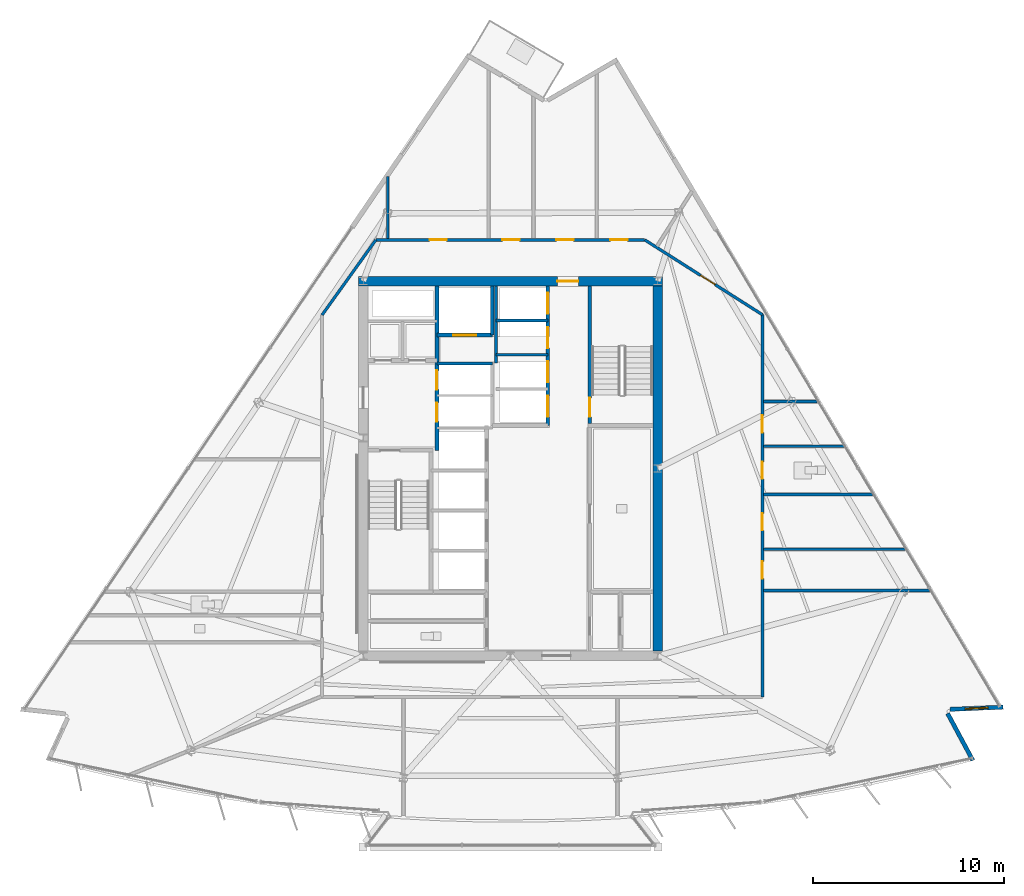
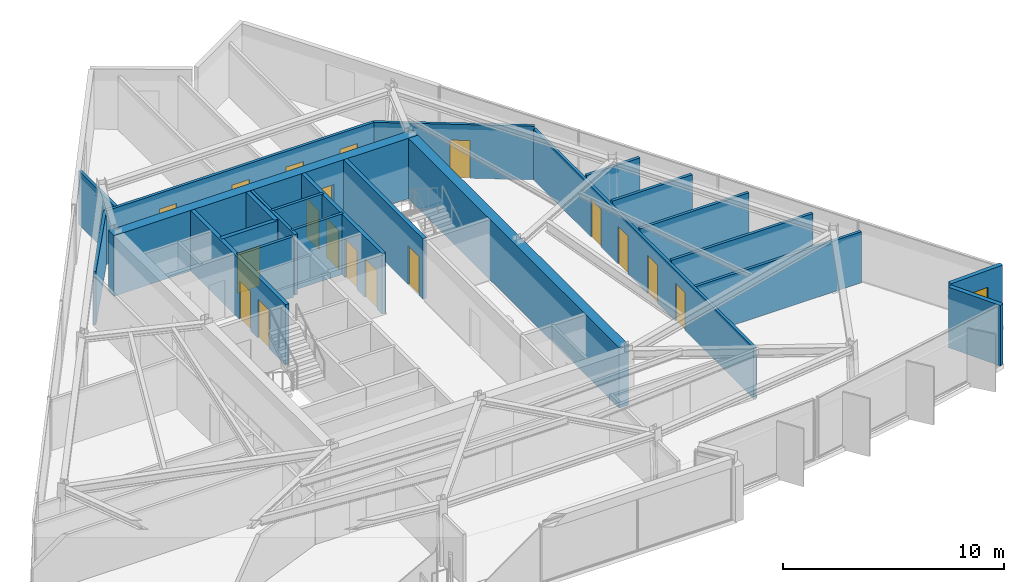
# One storey, part 9 of 14: 23 walls, 18 doors, 1 window, 19 openings.
"""IFC4 building model written with IfcOpenShell, lengths in metres."""

from ifc_helpers import new_model, si_unit, direction, frame, frame_2d, origin, place, context, subcontext, project, spatial, rectangle, extrude, material, layer, layer_set, type_object, element, fill, save


model = new_model("IFC4")

# Units and contexts
model_context = context("Model", 3, precision=1e-05, world=origin(), true_north=direction((0.0, 1.0)))
body_context = subcontext(model_context, "Body", "Model", "MODEL_VIEW")
ifc_project = project(units=[si_unit("LENGTHUNIT", "METRE"), si_unit("AREAUNIT", "SQUARE_METRE"), si_unit("VOLUMEUNIT", "CUBIC_METRE"), si_unit("PLANEANGLEUNIT", "RADIAN"), si_unit("MASSUNIT", "GRAM", prefix="KILO")], contexts=[model_context])

# Site, building, storey
site_placement = place(None, origin())
site = spatial("IfcSite", under=ifc_project, at=site_placement, CompositionType="ELEMENT")
building_placement = place(site_placement, origin())
building = spatial("IfcBuilding", under=site, at=building_placement, Name="Savorim Split Tower", CompositionType="ELEMENT")
storey_placement = place(building_placement, frame((0.0, 0.0, 209.10009765625)))
storey = spatial("IfcBuildingStorey", under=building, at=storey_placement, Name="L55", CompositionType="ELEMENT", Elevation=209.10009765625)

# Wall, opening, door
ifc_material_1 = material(Name="Concrete C60/75", Category="concrete")
ifc_layer_1 = layer(ifc_material_1, 0.5)
ifc_layer_set_1 = layer_set([ifc_layer_1], Name="WAL-COR-SH500")
wall_type_1 = type_object("IfcWallType", Name="WAL-COR-SH500", PredefinedType="SHEAR", material=ifc_layer_set_1)
wall_1_placement = place(storey_placement, frame((7.949951171875, 10.199951171875, 0.0), z_axis=(0.0, 0.0, 1.0), x_axis=(-1.0, 0.0, 0.0)))
wall_1 = element("IfcWall", 1, at=wall_1_placement, inside=storey, type_object=wall_type_1, Name="L55 Offset Core North Shear Wall", PredefinedType="SHEAR", context=body_context, shape_type="SweptSolid", body=[
    extrude(rectangle(XDim=15.89990234375, YDim=0.5, at=frame_2d((7.949951171875, 0.0))), origin(), (0.0, 0.0, 1.0), 3.349853515625),
])
opening_1_placement = place(wall_1_placement, frame((4.39990234375, 0.0, 0.0)))
opening_1 = element("IfcOpeningElement", 2, at=opening_1_placement, cuts=wall_1, Name="Opening DI-03", PredefinedType="OPENING", context=body_context, shape_type="SweptSolid", body=[
    extrude(rectangle(XDim=1.10009765625, YDim=2.14990234375, at=frame_2d((0.550048828125, 1.074951171875))), frame((0.0, 0.260009765625, 0.0), z_axis=(0.0, -1.0, 0.0), x_axis=(1.0, 0.0, 0.0)), (0.0, 0.0, 1.0), 0.52001953125),
])
ifc_material_2 = material(Name="Timber Fire Door Leaf", Category="wood")
door_type_1 = type_object("IfcDoorType", Name="DOR-FIR-1100", OperationType="NOTDEFINED", PredefinedType="DOOR", material=ifc_material_2)
door_1_placement = place(opening_1_placement, origin())
door_1 = element("IfcDoor", 3, at=door_1_placement, inside=storey, type_object=door_type_1, Name="DOR-L55-COR-NLOB - L55 North Corridor Lobby Fire Door", OperationType="SINGLE_SWING_RIGHT", OverallHeight=2.14990234375, OverallWidth=1.10009765625, PredefinedType="DOOR", context=body_context, shape_type="SweptSolid", body=[
    extrude(rectangle(XDim=1.10009765625, YDim=2.14990234375, at=frame_2d((0.550048828125, 1.074951171875))), frame((0.0, 0.02490234375, 0.0), z_axis=(0.0, -1.0, 0.0), x_axis=(1.0, 0.0, 0.0)), (0.0, 0.0, 1.0), 0.050048828125),
])
fill(opening_1, door_1)

# Walls
wall_2_placement = place(storey_placement, frame((7.699951171875, 9.949951171875, 0.0), z_axis=(0.0, 0.0, 1.0), x_axis=(0.0, -1.0, 0.0)))
element("IfcWall", 4, at=wall_2_placement, inside=storey, type_object=wall_type_1, Name="L55 Offset Core East Shear Wall", PredefinedType="SHEAR", context=body_context, shape_type="SweptSolid", body=[
    extrude(rectangle(XDim=19.099853515625, YDim=0.5, at=frame_2d((9.5498046875, 0.0))), origin(), (0.0, 0.0, 1.0), 3.349853515625),
])
ifc_material_3 = material(Name="Precast concrete C40/50", Category="concrete")
ifc_layer_2 = layer(ifc_material_3, 0.219970703125)
ifc_layer_set_2 = layer_set([ifc_layer_2], Name="WAL-EXT-CRN220")
wall_type_2 = type_object("IfcWallType", Name="WAL-EXT-CRN220", PredefinedType="SOLIDWALL", material=ifc_layer_set_2)
wall_3_placement = place(storey_placement, frame((22.86767578125, -12.414794921875, 0.0), z_axis=(0.0, 0.0, 1.0), x_axis=(0.472845900162, -0.881145138272, 0.0)))
element("IfcWall", 5, at=wall_3_placement, inside=storey, type_object=wall_type_2, Name="L55 Notched Corner Facade Wall SE1", PredefinedType="SOLIDWALL", context=body_context, shape_type="SweptSolid", body=[
    extrude(rectangle(XDim=2.78759765625, YDim=0.219970703125, at=frame_2d((1.393798828125, 0.0))), origin(), (0.0, 0.0, 1.0), 3.349853515625),
])

# Wall, opening, window
wall_4_placement = place(storey_placement, frame((25.77197265625, -12.082763671875, 0.0), z_axis=(0.0, 0.0, 1.0), x_axis=(-0.999095761456, -0.042516578425, 0.0)))
wall_4 = element("IfcWall", 6, at=wall_4_placement, inside=storey, type_object=wall_type_2, Name="L55 Notched Corner Facade Wall SE", PredefinedType="SOLIDWALL", context=body_context, shape_type="SweptSolid", body=[
    extrude(rectangle(XDim=2.784912109375, YDim=0.219970703125, at=frame_2d((1.392578125, 0.0))), origin(), (0.0, 0.0, 1.0), 3.349853515625),
])
opening_2_placement = place(wall_4_placement, frame((0.79248046875, 0.0, 0.6201171875)))
opening_2 = element("IfcOpeningElement", 7, at=opening_2_placement, cuts=wall_4, Name="Opening WN-08", PredefinedType="OPENING", context=body_context, shape_type="SweptSolid", body=[
    extrude(rectangle(XDim=1.199951171875, YDim=1.800048828125, at=frame_2d((0.60009765625, 0.89990234375))), frame((0.0, 0.119873046875, 0.0), z_axis=(0.0, -1.0, 0.0), x_axis=(1.0, 0.0, 0.0)), (0.0, 0.0, 1.0), 0.239990234375),
])
ifc_material_4 = material(Name="Low-E Operable Double Glazing", Category="glass")
window_type = type_object("IfcWindowType", Name="WIN-TWR-1200x1800", PartitioningType="SINGLE_PANEL", PredefinedType="WINDOW", material=ifc_material_4)
window_placement = place(opening_2_placement, origin())
window = element("IfcWindow", 8, at=window_placement, inside=storey, type_object=window_type, Name="L55 Operable Corner Window SE", OverallHeight=1.800048828125, OverallWidth=1.199951171875, PartitioningType="SINGLE_PANEL", PredefinedType="WINDOW", context=body_context, shape_type="SweptSolid", body=[
    extrude(rectangle(XDim=1.199951171875, YDim=1.800048828125, at=frame_2d((0.60009765625, 0.89990234375))), frame((0.0, 0.030029296875, 0.0), z_axis=(0.0, -1.0, 0.0), x_axis=(1.0, 0.0, 0.0)), (0.0, 0.0, 1.0), 0.06005859375),
])
fill(opening_2, window)

# Wall, openings, doors
ifc_material_5 = material(Name="Concrete C50/60", Category="concrete")
ifc_layer_3 = layer(ifc_material_5, 0.199951171875)
ifc_layer_set_3 = layer_set([ifc_layer_3], Name="WAL-INT-RC200")
wall_type_3 = type_object("IfcWallType", Name="WAL-INT-RC200", PredefinedType="SOLIDWALL", material=ifc_layer_set_3)
wall_5_placement = place(storey_placement, frame((-3.85009765625, 1.35009765625, 0.0), z_axis=(0.0, 0.0, 1.0), x_axis=(0.0, 1.0, 0.0)))
wall_5 = element("IfcWall", 9, at=wall_5_placement, inside=storey, type_object=wall_type_3, Name="L55 Partition W-L55-CR03", PredefinedType="SOLIDWALL", context=body_context, shape_type="SweptSolid", body=[
    extrude(rectangle(XDim=8.594970703125, YDim=0.199951171875, at=frame_2d((4.29736328125, 0.0))), origin(), (0.0, 0.0, 1.0), 3.349853515625),
])
opening_3_placement = place(wall_5_placement, frame((1.5, 0.0, 0.0)))
opening_3 = element("IfcOpeningElement", 10, at=opening_3_placement, cuts=wall_5, Name="Opening LD-FFL", PredefinedType="OPENING", context=body_context, shape_type="SweptSolid", body=[
    extrude(rectangle(XDim=1.0, YDim=2.14990234375, at=frame_2d((0.5, 1.074951171875))), frame((0.0, 0.10986328125, 0.0), z_axis=(0.0, -1.0, 0.0), x_axis=(1.0, 0.0, 0.0)), (0.0, 0.0, 1.0), 0.219970703125),
])
opening_4_placement = place(wall_5_placement, frame((3.179931640625, 0.0, 0.0)))
opening_4 = element("IfcOpeningElement", 11, at=opening_4_placement, cuts=wall_5, Name="Opening LD-FFL", PredefinedType="OPENING", context=body_context, shape_type="SweptSolid", body=[
    extrude(rectangle(XDim=1.0, YDim=2.14990234375, at=frame_2d((0.5, 1.074951171875))), frame((0.0, 0.10986328125, 0.0), z_axis=(0.0, -1.0, 0.0), x_axis=(1.0, 0.0, 0.0)), (0.0, 0.0, 1.0), 0.219970703125),
])
ifc_material_6 = material(Name="Charcoal Anodised Aluminium", Category="aluminium")
door_type_2 = type_object("IfcDoorType", Name="DOR-SLD-LD1000", OperationType="NOTDEFINED", PredefinedType="DOOR", material=ifc_material_6)
door_2_placement = place(opening_3_placement, origin())
door_2 = element("IfcDoor", 12, at=door_2_placement, inside=storey, type_object=door_type_2, Name="DR-L55-LD-FFL1 - L55 Firefighting Lift FFL-1 Sliding Landing Door", OperationType="DOUBLE_DOOR_SLIDING", OverallHeight=2.14990234375, OverallWidth=1.0, PredefinedType="DOOR", context=body_context, shape_type="SweptSolid", body=[
    extrude(rectangle(XDim=1.0, YDim=2.14990234375, at=frame_2d((0.5, 1.074951171875))), frame((0.0, 0.02490234375, 0.0), z_axis=(0.0, -1.0, 0.0), x_axis=(1.0, 0.0, 0.0)), (0.0, 0.0, 1.0), 0.050048828125),
])
fill(opening_3, door_2)
door_3_placement = place(opening_4_placement, origin())
door_3 = element("IfcDoor", 13, at=door_3_placement, inside=storey, type_object=door_type_2, Name="DR-L55-LD-FFL2 - L55 Firefighting Lift FFL-2 Sliding Landing Door", OperationType="DOUBLE_DOOR_SLIDING", OverallHeight=2.14990234375, OverallWidth=1.0, PredefinedType="DOOR", context=body_context, shape_type="SweptSolid", body=[
    extrude(rectangle(XDim=1.0, YDim=2.14990234375, at=frame_2d((0.5, 1.074951171875))), frame((0.0, 0.02490234375, 0.0), z_axis=(0.0, -1.0, 0.0), x_axis=(1.0, 0.0, 0.0)), (0.0, 0.0, 1.0), 0.050048828125),
])
fill(opening_4, door_3)

# Wall, opening, door
wall_6_placement = place(storey_placement, frame((4.14990234375, 2.75, 0.0), z_axis=(0.0, 0.0, 1.0), x_axis=(0.0, 1.0, 0.0)))
wall_6 = element("IfcWall", 14, at=wall_6_placement, inside=storey, type_object=wall_type_3, Name="L55 Structural Shaft Wall W-L55-CR07", PredefinedType="SOLIDWALL", context=body_context, shape_type="SweptSolid", body=[
    extrude(rectangle(XDim=7.199951171875, YDim=0.199951171875, at=frame_2d((3.60009765625, 0.0))), origin(), (0.0, 0.0, 1.0), 3.349853515625),
])
opening_5_placement = place(wall_6_placement, frame((0.35009765625, 0.0, 0.0)))
opening_5 = element("IfcOpeningElement", 15, at=opening_5_placement, cuts=wall_6, Name="Opening DI-04", PredefinedType="OPENING", context=body_context, shape_type="SweptSolid", body=[
    extrude(rectangle(XDim=1.0, YDim=2.14990234375, at=frame_2d((0.5, 1.074951171875))), frame((0.0, 0.10986328125, 0.0), z_axis=(0.0, -1.0, 0.0), x_axis=(1.0, 0.0, 0.0)), (0.0, 0.0, 1.0), 0.219970703125),
])
door_type_3 = type_object("IfcDoorType", Name="DOR-FIR-1000", OperationType="NOTDEFINED", PredefinedType="DOOR", material=ifc_material_2)
door_4_placement = place(opening_5_placement, origin())
door_4 = element("IfcDoor", 16, at=door_4_placement, inside=storey, type_object=door_type_3, Name="DR-L55-ST2 - L55 Stair ST-2 Enclosure Door", OperationType="SINGLE_SWING_RIGHT", OverallHeight=2.14990234375, OverallWidth=1.0, PredefinedType="DOOR", context=body_context, shape_type="SweptSolid", body=[
    extrude(rectangle(XDim=1.0, YDim=2.14990234375, at=frame_2d((0.5, 1.074951171875))), frame((0.0, 0.02490234375, 0.0), z_axis=(0.0, -1.0, 0.0), x_axis=(1.0, 0.0, 0.0)), (0.0, 0.0, 1.0), 0.050048828125),
])
fill(opening_5, door_4)

wall_7_placement = place(storey_placement, frame((-3.85009765625, 7.3798828125, 0.0), z_axis=(0.0, 0.0, 1.0), x_axis=(1.0, 0.0, 0.0)))
wall_7 = element("IfcWall", 17, at=wall_7_placement, inside=storey, type_object=wall_type_3, Name="L55 Partition W-L55-SVLS", PredefinedType="SOLIDWALL", context=body_context, shape_type="SweptSolid", body=[
    extrude(rectangle(XDim=2.900146484375, YDim=0.199951171875, at=frame_2d((1.4501953125, 0.0))), origin(), (0.0, 0.0, 1.0), 3.349853515625),
])
opening_6_placement = place(wall_7_placement, frame((0.85009765625, 0.0, 0.0)))
opening_6 = element("IfcOpeningElement", 18, at=opening_6_placement, cuts=wall_7, Name="Opening LD-SV", PredefinedType="OPENING", context=body_context, shape_type="SweptSolid", body=[
    extrude(rectangle(XDim=1.199951171875, YDim=2.199951171875, at=frame_2d((0.60009765625, 1.10009765625))), frame((0.0, 0.10986328125, 0.0), z_axis=(0.0, -1.0, 0.0), x_axis=(1.0, 0.0, 0.0)), (0.0, 0.0, 1.0), 0.219970703125),
])
door_type_4 = type_object("IfcDoorType", Name="DOR-SLD-SV1200", OperationType="NOTDEFINED", PredefinedType="DOOR", material=ifc_material_6)
door_5_placement = place(opening_6_placement, origin())
door_5 = element("IfcDoor", 19, at=door_5_placement, inside=storey, type_object=door_type_4, Name="DR-L55-LD-SVL1 - L55 Service Lift SVL-1 Sliding Landing Door", OperationType="DOUBLE_DOOR_SLIDING", OverallHeight=2.199951171875, OverallWidth=1.199951171875, PredefinedType="DOOR", context=body_context, shape_type="SweptSolid", body=[
    extrude(rectangle(XDim=1.199951171875, YDim=2.199951171875, at=frame_2d((0.60009765625, 1.10009765625))), frame((0.0, 0.02490234375, 0.0), z_axis=(0.0, -1.0, 0.0), x_axis=(1.0, 0.0, 0.0)), (0.0, 0.0, 1.0), 0.050048828125),
])
fill(opening_6, door_5)

# Wall
wall_8_placement = place(storey_placement, frame((-0.949951171875, 7.3798828125, 0.0), z_axis=(0.0, 0.0, 1.0), x_axis=(0.0, 1.0, 0.0)))
element("IfcWall", 20, at=wall_8_placement, inside=storey, type_object=wall_type_3, Name="L55 Partition W-L55-SVLE", PredefinedType="SOLIDWALL", context=body_context, shape_type="SweptSolid", body=[
    extrude(rectangle(XDim=2.565185546875, YDim=0.199951171875, at=frame_2d((1.28271484375, 0.0))), origin(), (0.0, 0.0, 1.0), 3.349853515625),
])

# Wall, openings, doors
wall_9_placement = place(storey_placement, frame((1.949951171875, 2.64990234375, 0.0), z_axis=(0.0, 0.0, 1.0), x_axis=(0.0, 1.0, 0.0)))
wall_9 = element("IfcWall", 21, at=wall_9_placement, inside=storey, type_object=wall_type_3, Name="L55 Partition W-L55-B3FRONT", PredefinedType="SOLIDWALL", context=body_context, shape_type="SweptSolid", body=[
    extrude(rectangle(XDim=7.295166015625, YDim=0.199951171875, at=frame_2d((3.6474609375, 0.0))), origin(), (0.0, 0.0, 1.0), 3.349853515625),
])
opening_7_placement = place(wall_9_placement, frame((0.449951171875, 0.0, 0.0)))
opening_7 = element("IfcOpeningElement", 22, at=opening_7_placement, cuts=wall_9, Name="Opening LD-03", PredefinedType="OPENING", context=body_context, shape_type="SweptSolid", body=[
    extrude(rectangle(XDim=1.10009765625, YDim=2.14990234375, at=frame_2d((0.550048828125, 1.074951171875))), frame((0.0, 0.10986328125, 0.0), z_axis=(0.0, -1.0, 0.0), x_axis=(1.0, 0.0, 0.0)), (0.0, 0.0, 1.0), 0.219970703125),
])
opening_8_placement = place(wall_9_placement, frame((2.25, 0.0, 0.0)))
opening_8 = element("IfcOpeningElement", 23, at=opening_8_placement, cuts=wall_9, Name="Opening LD-03", PredefinedType="OPENING", context=body_context, shape_type="SweptSolid", body=[
    extrude(rectangle(XDim=1.10009765625, YDim=2.14990234375, at=frame_2d((0.550048828125, 1.074951171875))), frame((0.0, 0.10986328125, 0.0), z_axis=(0.0, -1.0, 0.0), x_axis=(1.0, 0.0, 0.0)), (0.0, 0.0, 1.0), 0.219970703125),
])
opening_9_placement = place(wall_9_placement, frame((4.050048828125, 0.0, 0.0)))
opening_9 = element("IfcOpeningElement", 24, at=opening_9_placement, cuts=wall_9, Name="Opening LD-03", PredefinedType="OPENING", context=body_context, shape_type="SweptSolid", body=[
    extrude(rectangle(XDim=1.10009765625, YDim=2.14990234375, at=frame_2d((0.550048828125, 1.074951171875))), frame((0.0, 0.10986328125, 0.0), z_axis=(0.0, -1.0, 0.0), x_axis=(1.0, 0.0, 0.0)), (0.0, 0.0, 1.0), 0.219970703125),
])
opening_10_placement = place(wall_9_placement, frame((5.85009765625, 0.0, 0.0)))
opening_10 = element("IfcOpeningElement", 25, at=opening_10_placement, cuts=wall_9, Name="Opening LD-03", PredefinedType="OPENING", context=body_context, shape_type="SweptSolid", body=[
    extrude(rectangle(XDim=1.10009765625, YDim=2.14990234375, at=frame_2d((0.550048828125, 1.074951171875))), frame((0.0, 0.10986328125, 0.0), z_axis=(0.0, -1.0, 0.0), x_axis=(1.0, 0.0, 0.0)), (0.0, 0.0, 1.0), 0.219970703125),
])
door_type_5 = type_object("IfcDoorType", Name="DOR-SLD-LDH1100", OperationType="NOTDEFINED", PredefinedType="DOOR", material=ifc_material_6)
door_6_placement = place(opening_7_placement, origin())
door_6 = element("IfcDoor", 26, at=door_6_placement, inside=storey, type_object=door_type_5, Name="DR-L55-LD-PLH1 - L55 Lift PL-H1 Sliding Landing Door", OperationType="DOUBLE_DOOR_SLIDING", OverallHeight=2.14990234375, OverallWidth=1.10009765625, PredefinedType="DOOR", context=body_context, shape_type="SweptSolid", body=[
    extrude(rectangle(XDim=1.10009765625, YDim=2.14990234375, at=frame_2d((0.550048828125, 1.074951171875))), frame((0.0, 0.02490234375, 0.0), z_axis=(0.0, -1.0, 0.0), x_axis=(1.0, 0.0, 0.0)), (0.0, 0.0, 1.0), 0.050048828125),
])
fill(opening_7, door_6)
door_7_placement = place(opening_8_placement, origin())
door_7 = element("IfcDoor", 27, at=door_7_placement, inside=storey, type_object=door_type_5, Name="DR-L55-LD-PLH2 - L55 Lift PL-H2 Sliding Landing Door", OperationType="DOUBLE_DOOR_SLIDING", OverallHeight=2.14990234375, OverallWidth=1.10009765625, PredefinedType="DOOR", context=body_context, shape_type="SweptSolid", body=[
    extrude(rectangle(XDim=1.10009765625, YDim=2.14990234375, at=frame_2d((0.550048828125, 1.074951171875))), frame((0.0, 0.02490234375, 0.0), z_axis=(0.0, -1.0, 0.0), x_axis=(1.0, 0.0, 0.0)), (0.0, 0.0, 1.0), 0.050048828125),
])
fill(opening_8, door_7)
door_8_placement = place(opening_9_placement, origin())
door_8 = element("IfcDoor", 28, at=door_8_placement, inside=storey, type_object=door_type_5, Name="DR-L55-LD-PLH3 - L55 Lift PL-H3 Sliding Landing Door", OperationType="DOUBLE_DOOR_SLIDING", OverallHeight=2.14990234375, OverallWidth=1.10009765625, PredefinedType="DOOR", context=body_context, shape_type="SweptSolid", body=[
    extrude(rectangle(XDim=1.10009765625, YDim=2.14990234375, at=frame_2d((0.550048828125, 1.074951171875))), frame((0.0, 0.02490234375, 0.0), z_axis=(0.0, -1.0, 0.0), x_axis=(1.0, 0.0, 0.0)), (0.0, 0.0, 1.0), 0.050048828125),
])
fill(opening_9, door_8)
door_9_placement = place(opening_10_placement, origin())
door_9 = element("IfcDoor", 29, at=door_9_placement, inside=storey, type_object=door_type_5, Name="DR-L55-LD-PLH4 - L55 Lift PL-H4 Sliding Landing Door", OperationType="DOUBLE_DOOR_SLIDING", OverallHeight=2.14990234375, OverallWidth=1.10009765625, PredefinedType="DOOR", context=body_context, shape_type="SweptSolid", body=[
    extrude(rectangle(XDim=1.10009765625, YDim=2.14990234375, at=frame_2d((0.550048828125, 1.074951171875))), frame((0.0, 0.02490234375, 0.0), z_axis=(0.0, -1.0, 0.0), x_axis=(1.0, 0.0, 0.0)), (0.0, 0.0, 1.0), 0.050048828125),
])
fill(opening_10, door_9)

# Walls
ifc_material_7 = material(Name="Acoustic Gypsum Partition Board")
ifc_layer_4 = layer(ifc_material_7, 0.14990234375)
ifc_layer_set_4 = layer_set([ifc_layer_4], Name="WAL-PAR-150")
wall_type_4 = type_object("IfcWallType", Name="WAL-PAR-150", PredefinedType="PARTITIONING", material=ifc_layer_set_4)
wall_10_placement = place(storey_placement, frame((-3.85009765625, 5.89990234375, 0.0), z_axis=(0.0, 0.0, 1.0), x_axis=(1.0, 0.0, 0.0)))
element("IfcWall", 30, at=wall_10_placement, inside=storey, type_object=wall_type_4, Name="L55 Partition W-L55-FFLD2", PredefinedType="PARTITIONING", context=body_context, shape_type="SweptSolid", body=[
    extrude(rectangle(XDim=2.900146484375, YDim=0.14990234375, at=frame_2d((1.4501953125, 0.0))), origin(), (0.0, 0.0, 1.0), 3.349853515625),
])
wall_11_placement = place(storey_placement, frame((-0.75, 5.919921875, 0.0), z_axis=(0.0, 0.0, 1.0), x_axis=(0.0, 1.0, 0.0)))
element("IfcWall", 31, at=wall_11_placement, inside=storey, type_object=wall_type_4, Name="L55 Partition W-L55-B3WEST", PredefinedType="PARTITIONING", context=body_context, shape_type="SweptSolid", body=[
    extrude(rectangle(XDim=4.025146484375, YDim=0.14990234375, at=frame_2d((2.0126953125, 0.0))), origin(), (0.0, 0.0, 1.0), 3.349853515625),
])
for number, where, z_axis, x_axis, name in (
    (32, (-0.75, 6.35009765625, 0.0), (0.0, 0.0, 1.0), (1.0, 0.0, 0.0), "L55 Partition W-L55-B3DIV2"),
    (33, (-0.75, 8.14990234375, 0.0), (0.0, 0.0, 1.0), (1.0, 0.0, 0.0), "L55 Partition W-L55-B3DIV3"),
):
    element("IfcWall", number, at=place(storey_placement, frame(where, z_axis=z_axis, x_axis=x_axis)), inside=storey, type_object=wall_type_4, Name=name, PredefinedType="PARTITIONING", context=body_context, shape_type="SweptSolid", body=[
        extrude(rectangle(XDim=2.699951171875, YDim=0.14990234375, at=frame_2d((1.35009765625, 0.0))), origin(), (0.0, 0.0, 1.0), 3.349853515625),
    ])
wall_12_placement = place(storey_placement, frame((-9.860107421875, 8.42578125, 0.0), z_axis=(0.0, 0.0, 1.0), x_axis=(0.582449511476, 0.812866881218, 0.0)))
element("IfcWall", 34, at=wall_12_placement, inside=storey, type_object=wall_type_4, Name="L55 Partition W-L55-COR-02", PredefinedType="PARTITIONING", context=body_context, shape_type="SweptSolid", body=[
    extrude(rectangle(XDim=4.840087890625, YDim=0.14990234375, at=frame_2d((2.419921875, 0.0))), origin(), (0.0, 0.0, 1.0), 2.974853515625),
])

# Wall, openings, doors
wall_13_placement = place(storey_placement, frame((-7.041015625, 12.360107421875, 0.0), z_axis=(0.0, 0.0, 1.0), x_axis=(1.0, 0.0, 0.0)))
wall_13 = element("IfcWall", 35, at=wall_13_placement, inside=storey, type_object=wall_type_4, Name="L55 Partition W-L55-COR-03", PredefinedType="PARTITIONING", context=body_context, shape_type="SweptSolid", body=[
    extrude(rectangle(XDim=14.064208984375, YDim=0.14990234375, at=frame_2d((7.0322265625, 0.0))), origin(), (0.0, 0.0, 1.0), 2.974853515625),
])
opening_11_placement = place(wall_13_placement, frame((12.269775390625, 0.0, 0.0)))
opening_11 = element("IfcOpeningElement", 36, at=opening_11_placement, cuts=wall_13, Name="Opening DI-06", PredefinedType="OPENING", context=body_context, shape_type="SweptSolid", body=[
    extrude(rectangle(XDim=0.89990234375, YDim=2.10009765625, at=frame_2d((0.449951171875, 1.050048828125))), frame((0.0, 0.0849609375, 0.0), z_axis=(0.0, -1.0, 0.0), x_axis=(1.0, 0.0, 0.0)), (0.0, 0.0, 1.0), 0.169921875),
])
opening_12_placement = place(wall_13_placement, frame((9.447998046875, 0.0, 0.0)))
opening_12 = element("IfcOpeningElement", 37, at=opening_12_placement, cuts=wall_13, Name="Opening DI-06", PredefinedType="OPENING", context=body_context, shape_type="SweptSolid", body=[
    extrude(rectangle(XDim=0.89990234375, YDim=2.10009765625, at=frame_2d((0.449951171875, 1.050048828125))), frame((0.0, 0.0849609375, 0.0), z_axis=(0.0, -1.0, 0.0), x_axis=(1.0, 0.0, 0.0)), (0.0, 0.0, 1.0), 0.169921875),
])
opening_13_placement = place(wall_13_placement, frame((6.618896484375, 0.0, 0.0)))
opening_13 = element("IfcOpeningElement", 38, at=opening_13_placement, cuts=wall_13, Name="Opening DI-06", PredefinedType="OPENING", context=body_context, shape_type="SweptSolid", body=[
    extrude(rectangle(XDim=0.89990234375, YDim=2.10009765625, at=frame_2d((0.449951171875, 1.050048828125))), frame((0.0, 0.0849609375, 0.0), z_axis=(0.0, -1.0, 0.0), x_axis=(1.0, 0.0, 0.0)), (0.0, 0.0, 1.0), 0.169921875),
])
opening_14_placement = place(wall_13_placement, frame((2.806396484375, 0.0, 0.0)))
opening_14 = element("IfcOpeningElement", 39, at=opening_14_placement, cuts=wall_13, Name="Opening DI-06", PredefinedType="OPENING", context=body_context, shape_type="SweptSolid", body=[
    extrude(rectangle(XDim=0.89990234375, YDim=2.10009765625, at=frame_2d((0.449951171875, 1.050048828125))), frame((0.0, 0.0849609375, 0.0), z_axis=(0.0, -1.0, 0.0), x_axis=(1.0, 0.0, 0.0)), (0.0, 0.0, 1.0), 0.169921875),
])
door_type_6 = type_object("IfcDoorType", Name="DOR-FIR-900", OperationType="NOTDEFINED", PredefinedType="DOOR", material=ifc_material_2)
door_10_placement = place(opening_11_placement, origin())
door_10 = element("IfcDoor", 40, at=door_10_placement, inside=storey, type_object=door_type_6, Name="DR-L55-RM13 - L55 Co-Working Commons Entry Door", OperationType="SINGLE_SWING_RIGHT", OverallHeight=2.10009765625, OverallWidth=0.89990234375, PredefinedType="DOOR", context=body_context, shape_type="SweptSolid", body=[
    extrude(rectangle(XDim=0.89990234375, YDim=2.10009765625, at=frame_2d((0.449951171875, 1.050048828125))), frame((0.0, 0.02490234375, 0.0), z_axis=(0.0, -1.0, 0.0), x_axis=(1.0, 0.0, 0.0)), (0.0, 0.0, 1.0), 0.050048828125),
])
fill(opening_11, door_10)
door_11_placement = place(opening_12_placement, origin())
door_11 = element("IfcDoor", 41, at=door_11_placement, inside=storey, type_object=door_type_6, Name="DR-L55-RM14 - L55 Co-Working Commons Entry Door", OperationType="SINGLE_SWING_LEFT", OverallHeight=2.10009765625, OverallWidth=0.89990234375, PredefinedType="DOOR", context=body_context, shape_type="SweptSolid", body=[
    extrude(rectangle(XDim=0.89990234375, YDim=2.10009765625, at=frame_2d((0.449951171875, 1.050048828125))), frame((0.0, 0.02490234375, 0.0), z_axis=(0.0, -1.0, 0.0), x_axis=(1.0, 0.0, 0.0)), (0.0, 0.0, 1.0), 0.050048828125),
])
fill(opening_12, door_11)
door_12_placement = place(opening_13_placement, origin())
door_12 = element("IfcDoor", 42, at=door_12_placement, inside=storey, type_object=door_type_6, Name="DR-L55-RM15 - L55 Co-Working Commons Entry Door", OperationType="SINGLE_SWING_RIGHT", OverallHeight=2.10009765625, OverallWidth=0.89990234375, PredefinedType="DOOR", context=body_context, shape_type="SweptSolid", body=[
    extrude(rectangle(XDim=0.89990234375, YDim=2.10009765625, at=frame_2d((0.449951171875, 1.050048828125))), frame((0.0, 0.02490234375, 0.0), z_axis=(0.0, -1.0, 0.0), x_axis=(1.0, 0.0, 0.0)), (0.0, 0.0, 1.0), 0.050048828125),
])
fill(opening_13, door_12)
door_13_placement = place(opening_14_placement, origin())
door_13 = element("IfcDoor", 43, at=door_13_placement, inside=storey, type_object=door_type_6, Name="DR-L55-RM16 - L55 Co-Working Commons Entry Door", OperationType="SINGLE_SWING_LEFT", OverallHeight=2.10009765625, OverallWidth=0.89990234375, PredefinedType="DOOR", context=body_context, shape_type="SweptSolid", body=[
    extrude(rectangle(XDim=0.89990234375, YDim=2.10009765625, at=frame_2d((0.449951171875, 1.050048828125))), frame((0.0, 0.02490234375, 0.0), z_axis=(0.0, -1.0, 0.0), x_axis=(1.0, 0.0, 0.0)), (0.0, 0.0, 1.0), 0.050048828125),
])
fill(opening_14, door_13)

# Wall, opening, door
wall_14_placement = place(storey_placement, frame((7.023193359375, 12.360107421875, 0.0), z_axis=(0.0, 0.0, 1.0), x_axis=(0.84376480085, -0.536713108511, 0.0)))
wall_14 = element("IfcWall", 44, at=wall_14_placement, inside=storey, type_object=wall_type_4, Name="L55 Partition W-L55-COR-04", PredefinedType="PARTITIONING", context=body_context, shape_type="SweptSolid", body=[
    extrude(rectangle(XDim=7.296630859375, YDim=0.14990234375, at=frame_2d((3.6484375, 0.0))), origin(), (0.0, 0.0, 1.0), 2.974853515625),
])
opening_15_placement = place(wall_14_placement, frame((3.470458984375, 0.0, 0.0)))
opening_15 = element("IfcOpeningElement", 45, at=opening_15_placement, cuts=wall_14, Name="Opening DI-06", PredefinedType="OPENING", context=body_context, shape_type="SweptSolid", body=[
    extrude(rectangle(XDim=0.89990234375, YDim=2.10009765625, at=frame_2d((0.449951171875, 1.050048828125))), frame((0.0, 0.0849609375, 0.0), z_axis=(0.0, -1.0, 0.0), x_axis=(1.0, 0.0, 0.0)), (0.0, 0.0, 1.0), 0.169921875),
])
door_14_placement = place(opening_15_placement, origin())
door_14 = element("IfcDoor", 46, at=door_14_placement, inside=storey, type_object=door_type_6, Name="DR-L55-RM12 - L55 Co-Working Commons Entry Door", OperationType="SINGLE_SWING_LEFT", OverallHeight=2.10009765625, OverallWidth=0.89990234375, PredefinedType="DOOR", context=body_context, shape_type="SweptSolid", body=[
    extrude(rectangle(XDim=0.89990234375, YDim=2.10009765625, at=frame_2d((0.449951171875, 1.050048828125))), frame((0.0, 0.02490234375, 0.0), z_axis=(0.0, -1.0, 0.0), x_axis=(1.0, 0.0, 0.0)), (0.0, 0.0, 1.0), 0.050048828125),
])
fill(opening_15, door_14)

# Wall, openings, doors
wall_15_placement = place(storey_placement, frame((13.179931640625, 8.44384765625, 0.0), z_axis=(0.0, 0.0, 1.0), x_axis=(0.0, -1.0, 0.0)))
wall_15 = element("IfcWall", 47, at=wall_15_placement, inside=storey, type_object=wall_type_4, Name="L55 Partition W-L55-COR-05", PredefinedType="PARTITIONING", context=body_context, shape_type="SweptSolid", body=[
    extrude(rectangle(XDim=20.00390625, YDim=0.14990234375, at=frame_2d((10.001953125, 0.0))), origin(), (0.0, 0.0, 1.0), 2.824951171875),
])
opening_16_placement = place(wall_15_placement, frame((12.903564453125, 0.0, 0.0)))
opening_16 = element("IfcOpeningElement", 48, at=opening_16_placement, cuts=wall_15, Name="Opening DI-06", PredefinedType="OPENING", context=body_context, shape_type="SweptSolid", body=[
    extrude(rectangle(XDim=0.89990234375, YDim=2.10009765625, at=frame_2d((0.449951171875, 1.050048828125))), frame((0.0, 0.0849609375, 0.0), z_axis=(0.0, -1.0, 0.0), x_axis=(1.0, 0.0, 0.0)), (0.0, 0.0, 1.0), 0.169921875),
])
opening_17_placement = place(wall_15_placement, frame((10.385986328125, 0.0, 0.0)))
opening_17 = element("IfcOpeningElement", 49, at=opening_17_placement, cuts=wall_15, Name="Opening DI-06", PredefinedType="OPENING", context=body_context, shape_type="SweptSolid", body=[
    extrude(rectangle(XDim=0.89990234375, YDim=2.10009765625, at=frame_2d((0.449951171875, 1.050048828125))), frame((0.0, 0.0849609375, 0.0), z_axis=(0.0, -1.0, 0.0), x_axis=(1.0, 0.0, 0.0)), (0.0, 0.0, 1.0), 0.169921875),
])
opening_18_placement = place(wall_15_placement, frame((7.69189453125, 0.0, 0.0)))
opening_18 = element("IfcOpeningElement", 50, at=opening_18_placement, cuts=wall_15, Name="Opening DI-11", PredefinedType="OPENING", context=body_context, shape_type="SweptSolid", body=[
    extrude(rectangle(XDim=0.89990234375, YDim=2.10009765625, at=frame_2d((0.449951171875, 1.050048828125))), frame((0.0, 0.0849609375, 0.0), z_axis=(0.0, -1.0, 0.0), x_axis=(1.0, 0.0, 0.0)), (0.0, 0.0, 1.0), 0.169921875),
])
opening_19_placement = place(wall_15_placement, frame((5.26220703125, 0.0, 0.0)))
opening_19 = element("IfcOpeningElement", 51, at=opening_19_placement, cuts=wall_15, Name="Opening DI-06", PredefinedType="OPENING", context=body_context, shape_type="SweptSolid", body=[
    extrude(rectangle(XDim=0.89990234375, YDim=2.10009765625, at=frame_2d((0.449951171875, 1.050048828125))), frame((0.0, 0.0849609375, 0.0), z_axis=(0.0, -1.0, 0.0), x_axis=(1.0, 0.0, 0.0)), (0.0, 0.0, 1.0), 0.169921875),
])
door_15_placement = place(opening_16_placement, origin())
door_15 = element("IfcDoor", 52, at=door_15_placement, inside=storey, type_object=door_type_6, Name="DR-L55-RM08 - L55 Quiet Study Room Entry Door", OperationType="SINGLE_SWING_LEFT", OverallHeight=2.10009765625, OverallWidth=0.89990234375, PredefinedType="DOOR", context=body_context, shape_type="SweptSolid", body=[
    extrude(rectangle(XDim=0.89990234375, YDim=2.10009765625, at=frame_2d((0.449951171875, 1.050048828125))), frame((0.0, 0.02490234375, 0.0), z_axis=(0.0, -1.0, 0.0), x_axis=(1.0, 0.0, 0.0)), (0.0, 0.0, 1.0), 0.050048828125),
])
fill(opening_16, door_15)
door_16_placement = place(opening_17_placement, origin())
door_16 = element("IfcDoor", 53, at=door_16_placement, inside=storey, type_object=door_type_6, Name="DR-L55-RM09 - L55 Co-Working Commons Entry Door", OperationType="SINGLE_SWING_RIGHT", OverallHeight=2.10009765625, OverallWidth=0.89990234375, PredefinedType="DOOR", context=body_context, shape_type="SweptSolid", body=[
    extrude(rectangle(XDim=0.89990234375, YDim=2.10009765625, at=frame_2d((0.449951171875, 1.050048828125))), frame((0.0, 0.02490234375, 0.0), z_axis=(0.0, -1.0, 0.0), x_axis=(1.0, 0.0, 0.0)), (0.0, 0.0, 1.0), 0.050048828125),
])
fill(opening_17, door_16)
door_17_placement = place(opening_19_placement, origin())
door_17 = element("IfcDoor", 54, at=door_17_placement, inside=storey, type_object=door_type_6, Name="DR-L55-RM11 - L55 Co-Living Bedroom Entry Door", OperationType="SINGLE_SWING_RIGHT", OverallHeight=2.10009765625, OverallWidth=0.89990234375, PredefinedType="DOOR", context=body_context, shape_type="SweptSolid", body=[
    extrude(rectangle(XDim=0.89990234375, YDim=2.10009765625, at=frame_2d((0.449951171875, 1.050048828125))), frame((0.0, 0.02490234375, 0.0), z_axis=(0.0, -1.0, 0.0), x_axis=(1.0, 0.0, 0.0)), (0.0, 0.0, 1.0), 0.050048828125),
])
fill(opening_19, door_17)
ifc_material_8 = material(Name="Oak Veneer Acoustic Door")
door_type_7 = type_object("IfcDoorType", Name="DOR-WC-900", OperationType="NOTDEFINED", PredefinedType="DOOR", material=ifc_material_8)
door_18_placement = place(opening_18_placement, origin())
door_18 = element("IfcDoor", 55, at=door_18_placement, inside=storey, type_object=door_type_7, Name="DR-L55-RM10 - L55 Shared Bathroom Entry Door", OperationType="SINGLE_SWING_LEFT", OverallHeight=2.10009765625, OverallWidth=0.89990234375, PredefinedType="DOOR", context=body_context, shape_type="SweptSolid", body=[
    extrude(rectangle(XDim=0.89990234375, YDim=2.10009765625, at=frame_2d((0.449951171875, 1.050048828125))), frame((0.0, 0.02490234375, 0.0), z_axis=(0.0, -1.0, 0.0), x_axis=(1.0, 0.0, 0.0)), (0.0, 0.0, 1.0), 0.050048828125),
])
fill(opening_18, door_18)

# Walls
wall_16_placement = place(storey_placement, frame((13.239990234375, -5.99169921875, 0.0), z_axis=(0.0, 0.0, 1.0), x_axis=(1.0, 0.0, 0.0)))
element("IfcWall", 56, at=wall_16_placement, inside=storey, type_object=wall_type_4, Name="L55 Partition W-L55-PRAD05", PredefinedType="PARTITIONING", context=body_context, shape_type="SweptSolid", body=[
    extrude(rectangle(XDim=8.68701171875, YDim=0.14990234375, at=frame_2d((4.343505859375, 0.0))), origin(), (0.0, 0.0, 1.0), 2.824951171875),
])
wall_17_placement = place(storey_placement, frame((13.239990234375, 3.902587890625, 0.0), z_axis=(0.0, 0.0, 1.0), x_axis=(1.0, 0.0, 0.0)))
element("IfcWall", 57, at=wall_17_placement, inside=storey, type_object=wall_type_4, Name="L55 Partition W-L55-PRAD06", PredefinedType="PARTITIONING", context=body_context, shape_type="SweptSolid", body=[
    extrude(rectangle(XDim=2.8037109375, YDim=0.14990234375, at=frame_2d((1.40185546875, 0.0))), origin(), (0.0, 0.0, 1.0), 2.974853515625),
])
wall_18_placement = place(storey_placement, frame((-6.42333984375, 12.419921875, 0.0), z_axis=(0.0, 0.0, 1.0), x_axis=(0.0, 1.0, 0.0)))
element("IfcWall", 58, at=wall_18_placement, inside=storey, type_object=wall_type_4, Name="L55 Partition W-L55-PRAD08", PredefinedType="PARTITIONING", context=body_context, shape_type="SweptSolid", body=[
    extrude(rectangle(XDim=3.251953125, YDim=0.14990234375, at=frame_2d((1.6259765625, 0.0))), origin(), (0.0, 0.0, 1.0), 2.974853515625),
])
wall_19_placement = place(storey_placement, frame((13.239990234375, -0.956787109375, 0.0), z_axis=(0.0, 0.0, 1.0), x_axis=(1.0, 0.0, 0.0)))
element("IfcWall", 59, at=wall_19_placement, inside=storey, type_object=wall_type_4, Name="L55 Partition W-L55-SUB02", PredefinedType="PARTITIONING", context=body_context, shape_type="SweptSolid", body=[
    extrude(rectangle(XDim=5.693115234375, YDim=0.14990234375, at=frame_2d((2.8466796875, 0.0))), origin(), (0.0, 0.0, 1.0), 2.974853515625),
])
wall_20_placement = place(storey_placement, frame((13.239990234375, -3.827392578125, 0.0), z_axis=(0.0, 0.0, 1.0), x_axis=(1.0, 0.0, 0.0)))
element("IfcWall", 60, at=wall_20_placement, inside=storey, type_object=wall_type_4, Name="L55 Partition W-L55-SUB05", PredefinedType="PARTITIONING", context=body_context, shape_type="SweptSolid", body=[
    extrude(rectangle(XDim=7.400146484375, YDim=0.14990234375, at=frame_2d((3.7001953125, 0.0))), origin(), (0.0, 0.0, 1.0), 2.974853515625),
])
wall_21_placement = place(storey_placement, frame((13.239990234375, 1.560791015625, 0.0), z_axis=(0.0, 0.0, 1.0), x_axis=(1.0, 0.0, 0.0)))
element("IfcWall", 61, at=wall_21_placement, inside=storey, type_object=wall_type_4, Name="L55 Partition W-L55-SUB06", PredefinedType="PARTITIONING", context=body_context, shape_type="SweptSolid", body=[
    extrude(rectangle(XDim=4.1962890625, YDim=0.14990234375, at=frame_2d((2.09814453125, 0.0))), origin(), (0.0, 0.0, 1.0), 2.974853515625),
])

save(model, "model.ifc")
